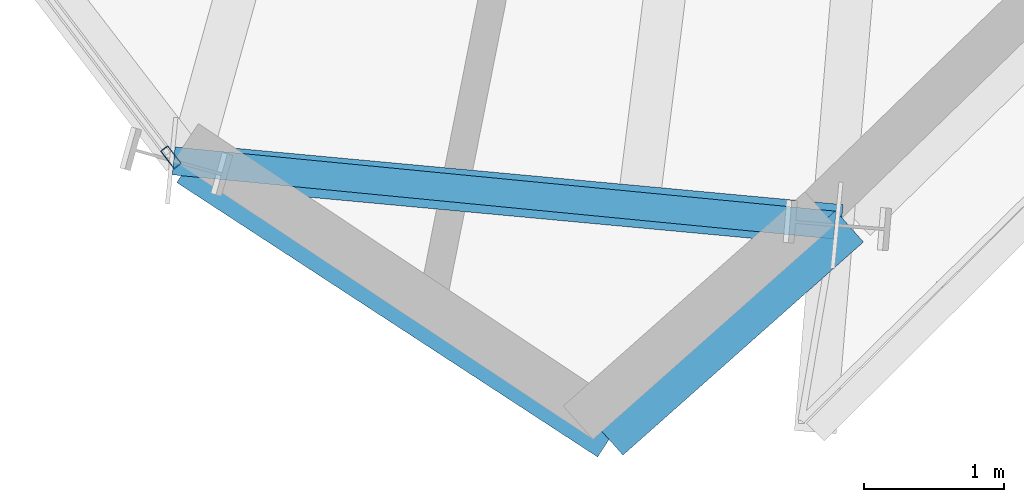
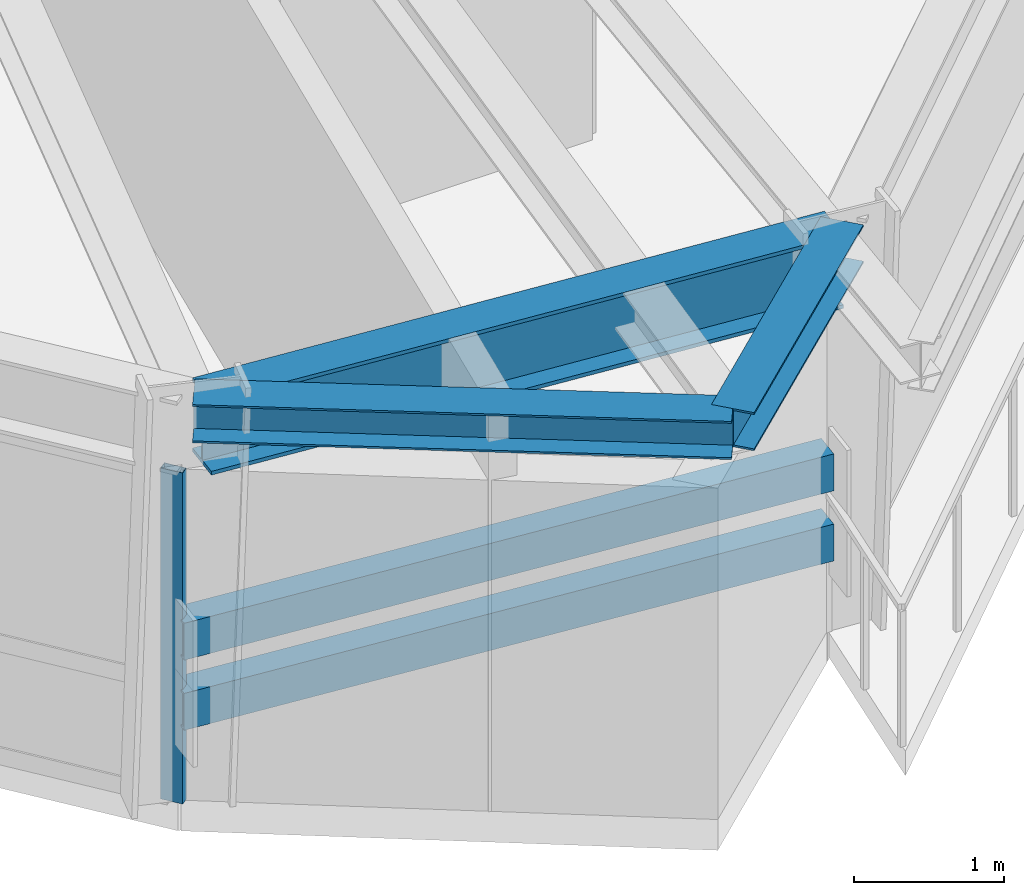
# One storey, part 3 of 14: 3 beams, 3 members, 1 element without a shape of its own.
"""IFC4 building model written with IfcOpenShell, lengths in metres."""

from ifc_helpers import new_model, si_unit, direction, frame, origin, origin_2d, place, context, subcontext, project, spatial, hollow_rectangle, i_section, extrude, source, transform, mapped, material, material_profile, profile_set, type_object, element, aggregate, save


model = new_model("IFC4")

# Units and contexts
model_context = context("Model", 3, precision=1e-05, world=origin(), true_north=direction((0.0, 1.0)))
body_context = subcontext(model_context, "Body", "Model", "MODEL_VIEW")
ifc_project = project(units=[si_unit("LENGTHUNIT", "METRE"), si_unit("AREAUNIT", "SQUARE_METRE"), si_unit("VOLUMEUNIT", "CUBIC_METRE"), si_unit("PLANEANGLEUNIT", "RADIAN"), si_unit("MASSUNIT", "GRAM", prefix="KILO")], contexts=[model_context])

# Site, building, storey
site_placement = place(None, origin())
site = spatial("IfcSite", under=ifc_project, at=site_placement, CompositionType="ELEMENT")
building_placement = place(site_placement, origin())
building = spatial("IfcBuilding", under=site, at=building_placement, Name="Olszyna Solenne Hotel", CompositionType="ELEMENT")
storey_placement = place(building_placement, frame((0.0, 0.0, 153.699951171875)))
storey = spatial("IfcBuildingStorey", under=building, at=storey_placement, Name="L40", CompositionType="ELEMENT", Elevation=153.699951171875)

# Beam
ifc_material_1 = material(Name="Steel S355J2", Category="steel")
ifc_material_profile_1 = material_profile(ifc_material_1, i_section(OverallWidth=0.300048828125, OverallDepth=0.60009765625, WebThickness=0.015380859375, FlangeThickness=0.030029296875, at=origin_2d()), Name="HEB 600", Category="load-bearing")
ifc_profile_set_1 = profile_set([ifc_material_profile_1], Name="Steel S355J2")
beam_type_1 = type_object("IfcBeamType", Name="BM-S2", PredefinedType="BEAM", material=ifc_profile_set_1)
shared_shape_1 = source(origin(), body_context, "Body", "SweptSolid", [
    extrude(i_section(OverallWidth=0.300048828125, OverallDepth=0.60009765625, WebThickness=0.015380859375, FlangeThickness=0.030029296875, at=origin_2d()), origin(), (0.0, 0.0, 1.0), 4.63134765625),
])
beam_1_placement = place(storey_placement, frame((31.420654296875, 2.75830078125, 3.0), z_axis=(0.995726053466, -0.092355976795, 0.0), x_axis=(0.092355976795, 0.995726053466, 0.0)))
element("IfcBeam", 1, at=beam_1_placement, inside=storey, type_object=beam_type_1, Name="Perimeter spandrel beam BM-S2 B-L40-1194", PredefinedType="BEAM", context=body_context, shape_type="MappedRepresentation", body=[
    mapped(shared_shape_1, transform((0.0, 0.0, 0.0), x_axis=(1.0, 0.0, 0.0), y_axis=(0.0, 1.0, 0.0), z_axis=(0.0, 0.0, 1.0), scale=1.0)),
])

# Members
ifc_material_profile_2 = material_profile(ifc_material_1, hollow_rectangle(XDim=0.199951171875, YDim=0.300048828125, WallThickness=0.01611328125, at=origin_2d()), Name="RHS 300x200x16", Category="load-bearing")
ifc_profile_set_2 = profile_set([ifc_material_profile_2], Name="Steel S355J2")
member_type_1 = type_object("IfcMemberType", Name="CH-PR1", PredefinedType="CHORD", material=ifc_profile_set_2)
shared_shape_2 = source(origin(), body_context, "Body", "SweptSolid", [
    extrude(hollow_rectangle(XDim=0.199951171875, YDim=0.300048828125, WallThickness=0.01611328125, at=origin_2d()), origin(), (0.0, 0.0, 1.0), 4.75146484375),
])
for number, where, z_axis, x_axis, name in (
    (2, (31.2568359375, 2.79296875, 1.35009765625), (0.995313551615, -0.096700227357, 0.0), (0.096700227357, 0.995313551615, 0.0), "Glass-prism tie chord CH-PR1 M-L40-PR1"),
    (3, (31.2568359375, 2.79296875, 0.780029296875), (0.995313551615, -0.096700227357, 0.0), (0.096700227357, 0.995313551615, 0.0), "Glass-prism tie chord CH-PR1 M-L40-PR2"),
):
    element("IfcMember", number, at=place(storey_placement, frame(where, z_axis=z_axis, x_axis=x_axis)), inside=storey, type_object=member_type_1, Name=name, PredefinedType="CHORD", context=body_context, shape_type="MappedRepresentation", body=[
        mapped(shared_shape_2, transform((0.0, 0.0, 0.0), x_axis=(1.0, 0.0, 0.0), y_axis=(0.0, 1.0, 0.0), z_axis=(0.0, 0.0, 1.0), scale=1.0)),
    ])

# Beams
ifc_material_profile_3 = material_profile(ifc_material_1, i_section(OverallWidth=0.300048828125, OverallDepth=0.31005859375, WebThickness=0.009033203125, FlangeThickness=0.015380859375, at=origin_2d()), Name="HEA 320", Category="load-bearing")
ifc_profile_set_3 = profile_set([ifc_material_profile_3], Name="Steel S355J2")
beam_type_2 = type_object("IfcBeamType", Name="BM-G3", PredefinedType="BEAM", material=ifc_profile_set_3)
shared_shape_3 = source(origin(), body_context, "Body", "SweptSolid", [
    extrude(i_section(OverallWidth=0.300048828125, OverallDepth=0.31005859375, WebThickness=0.009033203125, FlangeThickness=0.015380859375, at=origin_2d()), origin(), (0.0, 0.0, 1.0), 3.5947265625),
])
beam_2_placement = place(storey_placement, frame((31.36083984375, 2.763916015625, 3.14501953125), z_axis=(0.837567357159, -0.546334075656, 0.0), x_axis=(0.546334075656, 0.837567357159, 0.0)))
element("IfcBeam", 4, at=beam_2_placement, inside=storey, type_object=beam_type_2, Name="Prism side edge beam BM-G3 B-L40-1207", PredefinedType="BEAM", context=body_context, shape_type="MappedRepresentation", body=[
    mapped(shared_shape_3, transform((0.0, 0.0, 0.0), x_axis=(1.0, 0.0, 0.0), y_axis=(0.0, 1.0, 0.0), z_axis=(0.0, 0.0, 1.0), scale=1.0)),
])
shared_shape_4 = source(origin(), body_context, "Body", "SweptSolid", [
    extrude(i_section(OverallWidth=0.300048828125, OverallDepth=0.31005859375, WebThickness=0.009033203125, FlangeThickness=0.015380859375, at=origin_2d()), origin(), (0.0, 0.0, 1.0), 2.299072265625),
])
beam_3_placement = place(storey_placement, frame((36.092041015625, 2.324951171875, 3.14501953125), z_axis=(-0.748357721462, -0.663295349546, 0.0), x_axis=(0.663295349546, -0.748357721462, 0.0)))
element("IfcBeam", 5, at=beam_3_placement, inside=storey, type_object=beam_type_2, Name="Prism side edge beam BM-G3 B-L40-1208", PredefinedType="BEAM", context=body_context, shape_type="MappedRepresentation", body=[
    mapped(shared_shape_4, transform((0.0, 0.0, 0.0), x_axis=(1.0, 0.0, 0.0), y_axis=(0.0, 1.0, 0.0), z_axis=(0.0, 0.0, 1.0), scale=1.0)),
])

# Curtain wall, member
ifc_material_2 = material(Name="Anodised bronze aluminium", Category="aluminium")
curtain_wall_type = type_object("IfcCurtainWallType", Name="CW-SYS-4", PredefinedType="NOTDEFINED", material=ifc_material_2)
curtain_wall_placement = place(storey_placement, origin())
curtain_wall = element("IfcCurtainWall", 6, at=curtain_wall_placement, inside=storey, type_object=curtain_wall_type, Name="Unitised curtain wall CW-SYS-4 CW-L40-01", PredefinedType="NOTDEFINED")
ifc_material_profile_4 = material_profile(ifc_material_2, hollow_rectangle(XDim=0.06494140625, YDim=0.159912109375, WallThickness=0.00390625, at=origin_2d()), Name="MULL 160x65x4", Category="load-bearing")
ifc_profile_set_4 = profile_set([ifc_material_profile_4], Name="Anodised bronze aluminium")
member_type_2 = type_object("IfcMemberType", Name="CW-M3", PredefinedType="MULLION", material=ifc_profile_set_4)
shared_shape_5 = source(origin(), body_context, "Body", "SweptSolid", [
    extrude(hollow_rectangle(XDim=0.06494140625, YDim=0.159912109375, WallThickness=0.00390625, at=origin_2d()), origin(), (0.0, 0.0, 1.0), 2.692138671875),
])
member_placement = place(storey_placement, frame((31.2373046875, 2.81884765625, 0.0), z_axis=(0.0, 0.0, 1.0), x_axis=(0.795800208431, 0.605559268992, 0.0)))
member = element("IfcMember", 7, at=member_placement, type_object=member_type_2, Name="Curtain-wall mullion CW-M3 CM-L40-01-04", PredefinedType="MULLION", context=body_context, shape_type="MappedRepresentation", body=[
    mapped(shared_shape_5, transform((0.0, 0.0, 0.0), x_axis=(1.0, 0.0, 0.0), y_axis=(0.0, 1.0, 0.0), z_axis=(0.0, 0.0, 1.0), scale=1.0)),
])
aggregate(curtain_wall, [member])

save(model, "model.ifc")
